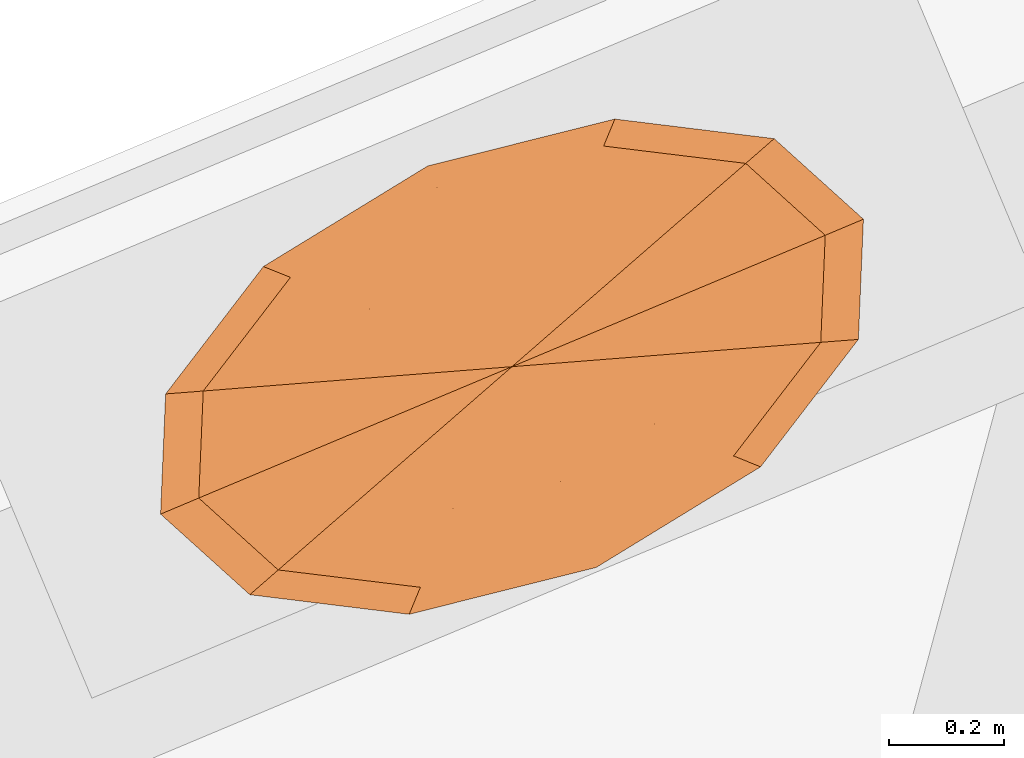
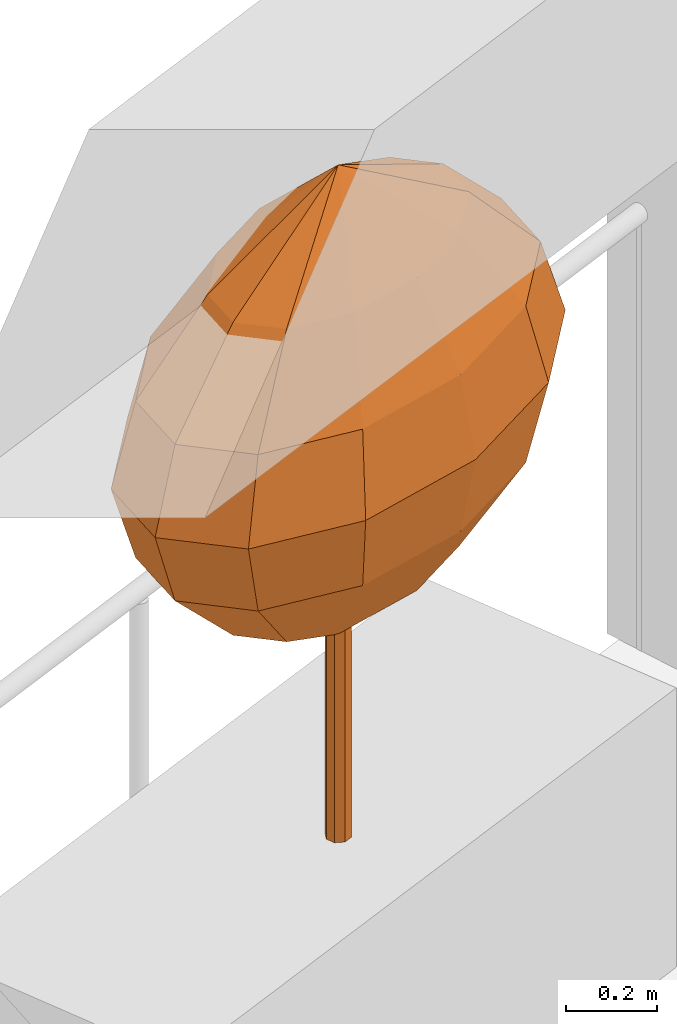
# One storey, part 12 of 12: 1 geographic element.
"""IFC4 building model written with IfcOpenShell, lengths in metres."""

from ifc_helpers import new_model, si_unit, direction, frame, origin, place, context, subcontext, project, spatial, faceted_brep, material, constituent, constituent_set, type_object, element, save


model = new_model("IFC4")

# Units and contexts
model_context = context("Model", 3, precision=1e-05, world=origin(), true_north=direction((0.0, 1.0)))
body_context = subcontext(model_context, "Body", "Model", "MODEL_VIEW")
ifc_project = project(units=[si_unit("LENGTHUNIT", "METRE"), si_unit("AREAUNIT", "SQUARE_METRE"), si_unit("VOLUMEUNIT", "CUBIC_METRE"), si_unit("PLANEANGLEUNIT", "RADIAN"), si_unit("MASSUNIT", "GRAM", prefix="KILO")], contexts=[model_context])

# Site, building, storey
site_placement = place(None, origin())
site = spatial("IfcSite", under=ifc_project, at=site_placement, CompositionType="ELEMENT")
building_placement = place(site_placement, origin())
building = spatial("IfcBuilding", under=site, at=building_placement, Name="Taillehof Tower", CompositionType="ELEMENT")
storey_placement = place(building_placement, frame((0.0, 0.0, 215.60009765625)))
storey = spatial("IfcBuildingStorey", under=building, at=storey_placement, Name="L61", CompositionType="ELEMENT", Elevation=215.60009765625)

# Geographic element
ifc_material_1 = material(Name="Tree bark", Category="timber")
ifc_constituent_1 = constituent(ifc_material_1, Name="Trunk", Category="timber")
ifc_material_2 = material(Name="Tree foliage")
ifc_constituent_2 = constituent(ifc_material_2, Name="Crown")
ifc_constituent_set = constituent_set(constituents=[ifc_constituent_1, ifc_constituent_2], Name="Tree TR4 Sea buckthorn standard")
geographic_element_type = type_object("IfcGeographicElementType", Name="Tree TR4 Sea buckthorn standard", PredefinedType="USERDEFINED", material=ifc_constituent_set)
geographic_element_placement = place(storey_placement, frame((-10.2373046875, 22.017822265625, 0.75)))
element("IfcGeographicElement", 1, at=geographic_element_placement, inside=storey, type_object=geographic_element_type, Name="Tree TR4 Sea buckthorn standard", ObjectType="TREE", PredefinedType="USERDEFINED", context=body_context, shape_type="Brep", body=[
    faceted_brep([(0.030029296875, 0.0, 0.0), (0.021240234375, 0.021240234375, 0.0), (0.021240234375, 0.021240234375, 0.98095703125), (0.030029296875, 0.0, 0.98095703125), (0.0, 0.030029296875, 0.0), (0.0, 0.030029296875, 0.98095703125), (-0.021240234375, 0.021240234375, 0.0), (-0.021240234375, 0.021240234375, 0.98095703125), (-0.030029296875, 0.0, 0.0), (-0.030029296875, 0.0, 0.98095703125), (-0.021240234375, -0.021240234375, 0.0), (-0.021240234375, -0.021240234375, 0.98095703125), (0.0, -0.030029296875, 0.0), (0.0, -0.030029296875, 0.98095703125), (0.021240234375, -0.021240234375, 0.0), (0.021240234375, -0.021240234375, 0.98095703125)], [[[0, 1, 2, 3]], [[1, 4, 5, 2]], [[4, 6, 7, 5]], [[6, 8, 9, 7]], [[8, 10, 11, 9]], [[10, 12, 13, 11]], [[12, 14, 15, 13]], [[14, 0, 3, 15]], [[14, 12, 10, 8, 6, 4, 1, 0]], [[3, 2, 5, 7, 9, 11, 13, 15]]]),
    faceted_brep([(0.0, 0.0, 0.5400390625), (-0.2626953125, -0.228515625, 0.75), (-0.352294921875, -0.147705078125, 0.75), (-0.10302734375, -0.248046875, 0.75), (0.08447265625, -0.201171875, 0.75), (0.249267578125, -0.100341796875, 0.75), (0.34716796875, 0.02734375, 0.75), (0.352294921875, 0.147705078125, 0.75), (0.2626953125, 0.228515625, 0.75), (0.10302734375, 0.248046875, 0.75), (-0.08447265625, 0.201171875, 0.75), (-0.249267578125, 0.100341796875, 0.75), (-0.34716796875, -0.02734375, 0.75), (-0.407958984375, -0.354736328125, 0.9599609375), (-0.546630859375, -0.229248046875, 0.9599609375), (-0.159912109375, -0.385009765625, 0.9599609375), (0.131103515625, -0.312255859375, 0.9599609375), (0.38671875, -0.15576171875, 0.9599609375), (0.538818359375, 0.04248046875, 0.9599609375), (0.546630859375, 0.229248046875, 0.9599609375), (0.407958984375, 0.354736328125, 0.9599609375), (0.159912109375, 0.385009765625, 0.9599609375), (-0.131103515625, 0.312255859375, 0.9599609375), (-0.38671875, 0.15576171875, 0.9599609375), (-0.538818359375, -0.04248046875, 0.9599609375), (-0.45751953125, -0.39794921875, 1.169921875), (-0.61328125, -0.25732421875, 1.169921875), (-0.179443359375, -0.43212890625, 1.169921875), (0.14697265625, -0.350341796875, 1.169921875), (0.433837890625, -0.1748046875, 1.169921875), (0.6044921875, 0.047607421875, 1.169921875), (0.61328125, 0.25732421875, 1.169921875), (0.45751953125, 0.39794921875, 1.169921875), (0.179443359375, 0.43212890625, 1.169921875), (-0.14697265625, 0.350341796875, 1.169921875), (-0.433837890625, 0.1748046875, 1.169921875), (-0.6044921875, -0.047607421875, 1.169921875), (-0.407958984375, -0.354736328125, 1.3798828125), (-0.546630859375, -0.229248046875, 1.3798828125), (-0.159912109375, -0.385009765625, 1.3798828125), (0.131103515625, -0.312255859375, 1.3798828125), (0.38671875, -0.15576171875, 1.3798828125), (0.538818359375, 0.04248046875, 1.3798828125), (0.546630859375, 0.229248046875, 1.3798828125), (0.407958984375, 0.354736328125, 1.3798828125), (0.159912109375, 0.385009765625, 1.3798828125), (-0.131103515625, 0.312255859375, 1.3798828125), (-0.38671875, 0.15576171875, 1.3798828125), (-0.538818359375, -0.04248046875, 1.3798828125), (-0.2626953125, -0.228515625, 1.590087890625), (-0.352294921875, -0.147705078125, 1.590087890625), (-0.10302734375, -0.248046875, 1.590087890625), (0.08447265625, -0.201171875, 1.590087890625), (0.249267578125, -0.100341796875, 1.590087890625), (0.34716796875, 0.02734375, 1.590087890625), (0.352294921875, 0.147705078125, 1.590087890625), (0.2626953125, 0.228515625, 1.590087890625), (0.10302734375, 0.248046875, 1.590087890625), (-0.08447265625, 0.201171875, 1.590087890625), (-0.249267578125, 0.100341796875, 1.590087890625), (-0.34716796875, -0.02734375, 1.590087890625), (0.0, 0.0, 1.800048828125)], [[[0, 1, 2]], [[0, 3, 1]], [[0, 4, 3]], [[0, 5, 4]], [[0, 6, 5]], [[0, 7, 6]], [[0, 8, 7]], [[0, 9, 8]], [[0, 10, 9]], [[0, 11, 10]], [[0, 12, 11]], [[0, 2, 12]], [[2, 1, 13, 14]], [[1, 3, 15, 13]], [[3, 4, 16, 15]], [[4, 5, 17, 16]], [[5, 6, 18, 17]], [[6, 7, 19, 18]], [[7, 8, 20, 19]], [[8, 9, 21, 20]], [[9, 10, 22, 21]], [[10, 11, 23, 22]], [[11, 12, 24, 23]], [[12, 2, 14, 24]], [[14, 13, 25, 26]], [[13, 15, 27, 25]], [[15, 16, 28, 27]], [[16, 17, 29, 28]], [[17, 18, 30, 29]], [[18, 19, 31, 30]], [[19, 20, 32, 31]], [[20, 21, 33, 32]], [[21, 22, 34, 33]], [[22, 23, 35, 34]], [[23, 24, 36, 35]], [[24, 14, 26, 36]], [[26, 25, 37, 38]], [[25, 27, 39, 37]], [[27, 28, 40, 39]], [[28, 29, 41, 40]], [[29, 30, 42, 41]], [[30, 31, 43, 42]], [[31, 32, 44, 43]], [[32, 33, 45, 44]], [[33, 34, 46, 45]], [[34, 35, 47, 46]], [[35, 36, 48, 47]], [[36, 26, 38, 48]], [[38, 37, 49, 50]], [[37, 39, 51, 49]], [[39, 40, 52, 51]], [[40, 41, 53, 52]], [[41, 42, 54, 53]], [[42, 43, 55, 54]], [[43, 44, 56, 55]], [[44, 45, 57, 56]], [[45, 46, 58, 57]], [[46, 47, 59, 58]], [[47, 48, 60, 59]], [[48, 38, 50, 60]], [[50, 49, 61]], [[49, 51, 61]], [[51, 52, 61]], [[52, 53, 61]], [[53, 54, 61]], [[54, 55, 61]], [[55, 56, 61]], [[56, 57, 61]], [[57, 58, 61]], [[58, 59, 61]], [[59, 60, 61]], [[60, 50, 61]]]),
])

save(model, "model.ifc")
